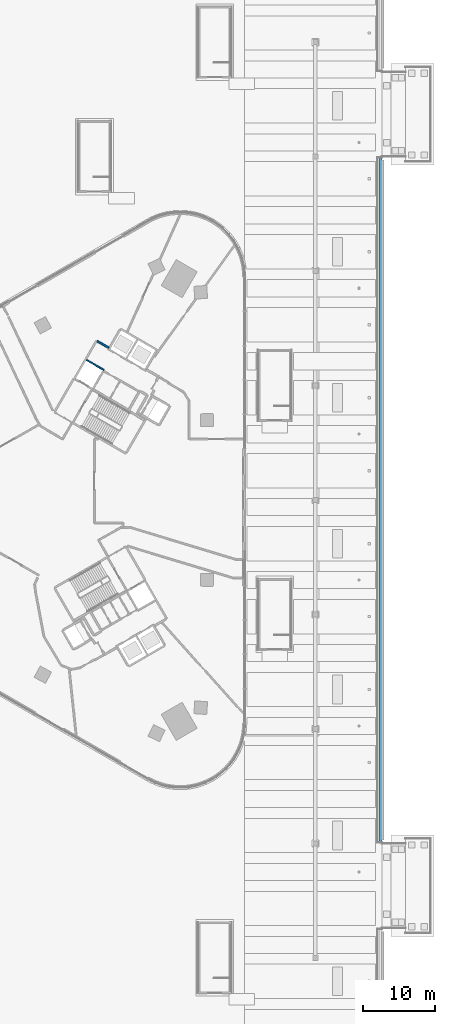
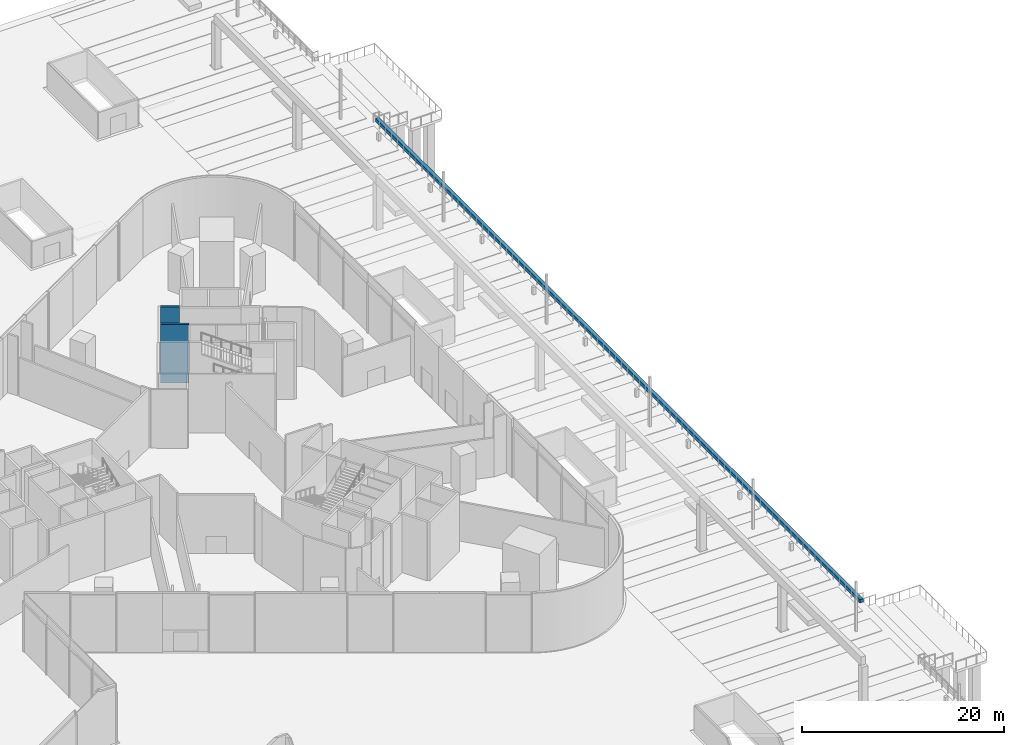
# One storey, part 23 of 41: 3 walls.
"""IFC4 building model written with IfcOpenShell, lengths in metres."""

from ifc_helpers import new_model, si_unit, direction, frame, frame_2d, origin, place, context, subcontext, project, spatial, rectangle, extrude, material, layer, layer_set, type_object, element, save


model = new_model("IFC4")

# Units and contexts
model_context = context("Model", 3, precision=1e-05, world=origin(), true_north=direction((0.0, 1.0)))
body_context = subcontext(model_context, "Body", "Model", "MODEL_VIEW")
ifc_project = project(units=[si_unit("LENGTHUNIT", "METRE"), si_unit("AREAUNIT", "SQUARE_METRE"), si_unit("VOLUMEUNIT", "CUBIC_METRE"), si_unit("PLANEANGLEUNIT", "RADIAN"), si_unit("MASSUNIT", "GRAM", prefix="KILO")], contexts=[model_context])

# Site, building, storey
site_placement = place(None, origin())
site = spatial("IfcSite", under=ifc_project, at=site_placement, CompositionType="ELEMENT")
building_placement = place(site_placement, origin())
building = spatial("IfcBuilding", under=site, at=building_placement, Name="Tamra Quay Hotel Tower", CompositionType="ELEMENT")
storey_placement = place(building_placement, origin())
storey = spatial("IfcBuildingStorey", under=building, at=storey_placement, Name="L00", CompositionType="ELEMENT", Elevation=0.0)

# Walls
ifc_material_1 = material(Name="Concrete M70", Category="concrete")
ifc_layer_1 = layer(ifc_material_1, 0.199951171875)
ifc_layer_set_1 = layer_set([ifc_layer_1], Name="Concrete M70 core wall 200")
wall_type_1 = type_object("IfcWallType", Name="Concrete M70 core wall 200", PredefinedType="SHEAR", material=ifc_layer_set_1)
wall_1_placement = place(storey_placement, frame((4.900634765625, 19.5859375, 0.0), z_axis=(0.0, 0.0, 1.0), x_axis=(0.866022890907, -0.500004352405, 0.0)))
element("IfcWall", 1, at=wall_1_placement, inside=storey, type_object=wall_type_1, Name="CW2", PredefinedType="SHEAR", context=body_context, shape_type="SweptSolid", body=[
    extrude(rectangle(XDim=2.798828125, YDim=0.199951171875, at=frame_2d((1.3994140625, 0.0))), origin(), (0.0, 0.0, 1.0), 7.10009765625),
])
ifc_layer_2 = layer(ifc_material_1, 0.25)
ifc_layer_set_2 = layer_set([ifc_layer_2], Name="Concrete M70 core wall 250")
wall_type_2 = type_object("IfcWallType", Name="Concrete M70 core wall 250", PredefinedType="SHEAR", material=ifc_layer_set_2)
wall_2_placement = place(storey_placement, frame((6.41259765625, 22.2060546875, 0.0), z_axis=(0.0, 0.0, 1.0), x_axis=(0.866016279763, -0.500015802937, 0.0)))
element("IfcWall", 2, at=wall_2_placement, inside=storey, type_object=wall_type_2, Name="CW1", PredefinedType="SHEAR", context=body_context, shape_type="SweptSolid", body=[
    extrude(rectangle(XDim=1.84912109375, YDim=0.25, at=frame_2d((0.924560546875, 0.0))), origin(), (0.0, 0.0, 1.0), 7.10009765625),
])
ifc_material_2 = material(Name="Concrete M40", Category="concrete")
ifc_layer_3 = layer(ifc_material_2, 0.39990234375)
ifc_layer_set_3 = layer_set([ifc_layer_3], Name="QUAY KERB 400")
wall_type_3 = type_object("IfcWallType", Name="QUAY KERB 400", PredefinedType="STANDARD", material=ifc_layer_set_3)
wall_3_placement = place(storey_placement, frame((46.0, -47.93310546875, 0.0), z_axis=(0.0, 0.0, 1.0), x_axis=(0.0, 1.0, 0.0)))
element("IfcWall", 3, at=wall_3_placement, inside=storey, type_object=wall_type_3, Name="QK1", PredefinedType="STANDARD", context=body_context, shape_type="SweptSolid", body=[
    extrude(rectangle(XDim=95.8662109375, YDim=0.39990234375, at=frame_2d((47.93310546875, 0.0))), origin(), (0.0, 0.0, 1.0), 0.39990234375),
])

save(model, "model.ifc")
